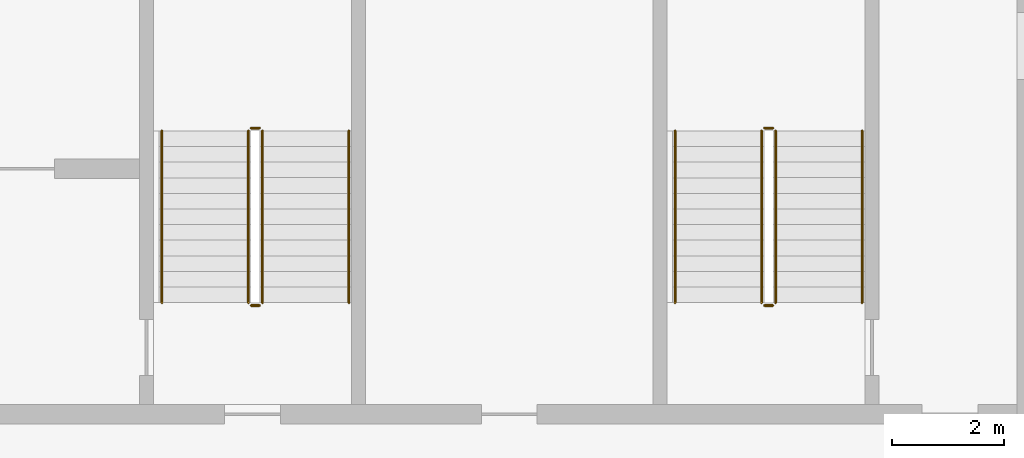
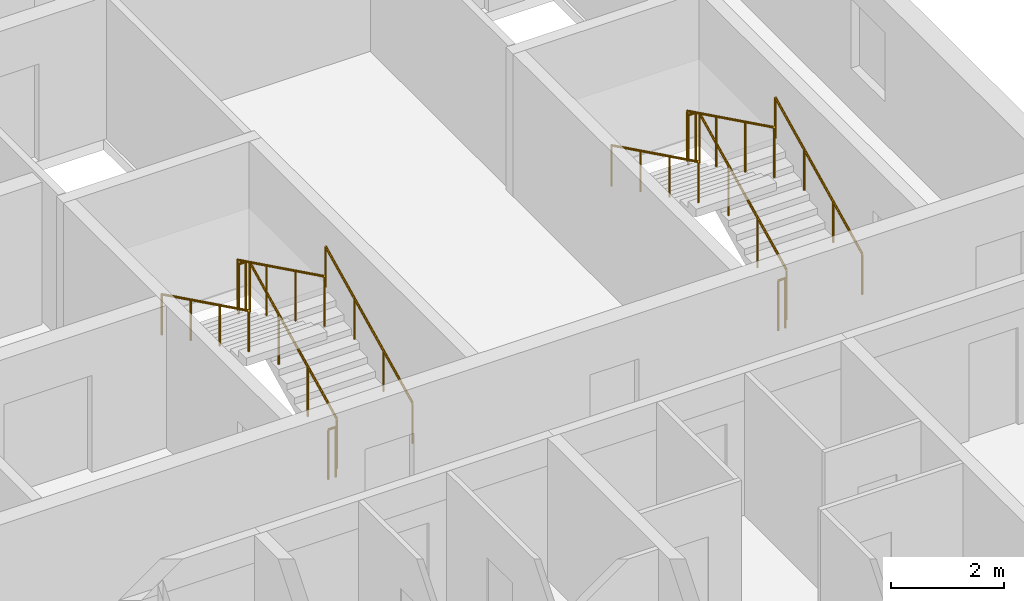
# One storey, part 14 of 26: 12 railings.
"""IFC4 building model written with IfcOpenShell, lengths in metres."""

from ifc_helpers import new_model, si_unit, direction, frame, origin, origin_2d, place, context, subcontext, project, spatial, circle, extrude, material, type_object, element, save


model = new_model("IFC4")

# Units and contexts
model_context = context("Model", 3, precision=1e-05, world=origin(), true_north=direction((0.0, 1.0)))
body_context = subcontext(model_context, "Body", "Model", "MODEL_VIEW")
ifc_project = project(units=[si_unit("LENGTHUNIT", "METRE"), si_unit("AREAUNIT", "SQUARE_METRE"), si_unit("VOLUMEUNIT", "CUBIC_METRE"), si_unit("PLANEANGLEUNIT", "RADIAN"), si_unit("MASSUNIT", "GRAM", prefix="KILO")], contexts=[model_context])

# Site, building, storey
site_placement = place(None, origin())
site = spatial("IfcSite", under=ifc_project, at=site_placement, CompositionType="ELEMENT")
building_placement = place(site_placement, origin())
building = spatial("IfcBuilding", under=site, at=building_placement, Name="Poui Terraces", CompositionType="ELEMENT")
storey_placement = place(building_placement, frame((0.0, 0.0, 228.0)))
storey = spatial("IfcBuildingStorey", under=building, at=storey_placement, Name="L63", CompositionType="ELEMENT", Elevation=228.0)

# Railings
ifc_material_1 = material(Name="Galvanised steel balustrade", Category="steel")
railing_type_1 = type_object("IfcRailingType", Name="STAIR GUARD 1100", PredefinedType="GUARDRAIL", material=ifc_material_1)
railing_1_placement = place(storey_placement, frame((70.27490234375, 16.60009765625, 0.137451171875)))
element("IfcRailing", 1, at=railing_1_placement, inside=storey, type_object=railing_type_1, Name="L63 ST-CE stair guard 1", PredefinedType="GUARDRAIL", context=body_context, shape_type="SweptSolid", body=[
    extrude(circle(Radius=0.02392578125, at=origin_2d()), frame((0.0, 0.0, 1.076171875), z_axis=(0.0, 0.897606190399, 0.440798283751), x_axis=(-1.0, 0.0, 0.0)), (0.0, 0.0, 1.0), 3.43115234375),
    extrude(circle(Radius=0.02099609375, at=origin_2d()), origin(), (0.0, 0.0, 1.0), 1.052001953125),
    extrude(circle(Radius=0.02099609375, at=origin_2d()), frame((0.0, 1.026611328125, 0.504150390625)), (0.0, 0.0, 1.0), 1.052001953125),
    extrude(circle(Radius=0.02099609375, at=origin_2d()), frame((0.0, 2.05322265625, 1.00830078125)), (0.0, 0.0, 1.0), 1.052001953125),
    extrude(circle(Radius=0.02099609375, at=origin_2d()), frame((0.0, 3.079833984375, 1.512451171875)), (0.0, 0.0, 1.0), 1.052001953125),
])
railing_2_placement = place(storey_placement, frame((70.22509765625, 19.72998046875, 1.64990234375)))
element("IfcRailing", 2, at=railing_2_placement, inside=storey, type_object=railing_type_1, Name="L63 ST-CE stair guard 2", PredefinedType="GUARDRAIL", context=body_context, shape_type="SweptSolid", body=[
    extrude(circle(Radius=0.02392578125, at=origin_2d()), frame((0.0, 0.0, 1.076171875), z_axis=(-1.0, 0.0, 0.0), x_axis=(0.0, -1.0, 0.0)), (0.0, 0.0, 1.0), 0.150146484375),
    extrude(circle(Radius=0.02099609375, at=origin_2d()), origin(), (0.0, 0.0, 1.0), 1.052001953125),
    extrude(circle(Radius=0.02099609375, at=origin_2d()), frame((-0.150146484375, 0.0, 0.0)), (0.0, 0.0, 1.0), 1.052001953125),
])
railing_3_placement = place(storey_placement, frame((70.02490234375, 19.679931640625, 1.78759765625)))
element("IfcRailing", 3, at=railing_3_placement, inside=storey, type_object=railing_type_1, Name="L63 ST-CE stair guard 3", PredefinedType="GUARDRAIL", context=body_context, shape_type="SweptSolid", body=[
    extrude(circle(Radius=0.02392578125, at=origin_2d()), frame((0.0, 0.0, 1.076171875), z_axis=(0.0, -0.897606190399, 0.440798283751), x_axis=(1.0, 0.0, 0.0)), (0.0, 0.0, 1.0), 3.43115234375),
    extrude(circle(Radius=0.02099609375, at=origin_2d()), origin(), (0.0, 0.0, 1.0), 1.052001953125),
    extrude(circle(Radius=0.02099609375, at=origin_2d()), frame((0.0, -1.026611328125, 0.504150390625)), (0.0, 0.0, 1.0), 1.052001953125),
    extrude(circle(Radius=0.02099609375, at=origin_2d()), frame((0.0, -2.05322265625, 1.00830078125)), (0.0, 0.0, 1.0), 1.052001953125),
    extrude(circle(Radius=0.02099609375, at=origin_2d()), frame((0.0, -3.079833984375, 1.512451171875)), (0.0, 0.0, 1.0), 1.052001953125),
])
railing_4_placement = place(storey_placement, frame((70.22509765625, 16.550048828125, 0.0)))
element("IfcRailing", 4, at=railing_4_placement, inside=storey, type_object=railing_type_1, Name="L63 ST-CE stair guard 4", PredefinedType="GUARDRAIL", context=body_context, shape_type="SweptSolid", body=[
    extrude(circle(Radius=0.02392578125, at=origin_2d()), frame((0.0, 0.0, 1.076171875), z_axis=(-1.0, 0.0, 0.0), x_axis=(0.0, -1.0, 0.0)), (0.0, 0.0, 1.0), 0.150146484375),
    extrude(circle(Radius=0.02099609375, at=origin_2d()), origin(), (0.0, 0.0, 1.0), 1.052001953125),
    extrude(circle(Radius=0.02099609375, at=origin_2d()), frame((-0.150146484375, 0.0, 0.0)), (0.0, 0.0, 1.0), 1.052001953125),
])
railing_5_placement = place(storey_placement, frame((79.47509765625, 16.60009765625, 0.137451171875)))
element("IfcRailing", 5, at=railing_5_placement, inside=storey, type_object=railing_type_1, Name="L63 ST-E stair guard 1", PredefinedType="GUARDRAIL", context=body_context, shape_type="SweptSolid", body=[
    extrude(circle(Radius=0.02392578125, at=origin_2d()), frame((0.0, 0.0, 1.076171875), z_axis=(0.0, 0.897606190399, 0.440798283751), x_axis=(-1.0, 0.0, 0.0)), (0.0, 0.0, 1.0), 3.43115234375),
    extrude(circle(Radius=0.02099609375, at=origin_2d()), origin(), (0.0, 0.0, 1.0), 1.052001953125),
    extrude(circle(Radius=0.02099609375, at=origin_2d()), frame((0.0, 1.026611328125, 0.504150390625)), (0.0, 0.0, 1.0), 1.052001953125),
    extrude(circle(Radius=0.02099609375, at=origin_2d()), frame((0.0, 2.05322265625, 1.00830078125)), (0.0, 0.0, 1.0), 1.052001953125),
    extrude(circle(Radius=0.02099609375, at=origin_2d()), frame((0.0, 3.079833984375, 1.512451171875)), (0.0, 0.0, 1.0), 1.052001953125),
])
railing_6_placement = place(storey_placement, frame((79.425048828125, 19.72998046875, 1.64990234375)))
element("IfcRailing", 6, at=railing_6_placement, inside=storey, type_object=railing_type_1, Name="L63 ST-E stair guard 2", PredefinedType="GUARDRAIL", context=body_context, shape_type="SweptSolid", body=[
    extrude(circle(Radius=0.02392578125, at=origin_2d()), frame((0.0, 0.0, 1.076171875), z_axis=(-1.0, 0.0, 0.0), x_axis=(0.0, -1.0, 0.0)), (0.0, 0.0, 1.0), 0.150146484375),
    extrude(circle(Radius=0.02099609375, at=origin_2d()), origin(), (0.0, 0.0, 1.0), 1.052001953125),
    extrude(circle(Radius=0.02099609375, at=origin_2d()), frame((-0.150146484375, 0.0, 0.0)), (0.0, 0.0, 1.0), 1.052001953125),
])
railing_7_placement = place(storey_placement, frame((79.22509765625, 19.679931640625, 1.78759765625)))
element("IfcRailing", 7, at=railing_7_placement, inside=storey, type_object=railing_type_1, Name="L63 ST-E stair guard 3", PredefinedType="GUARDRAIL", context=body_context, shape_type="SweptSolid", body=[
    extrude(circle(Radius=0.02392578125, at=origin_2d()), frame((0.0, 0.0, 1.076171875), z_axis=(0.0, -0.897606190399, 0.440798283751), x_axis=(1.0, 0.0, 0.0)), (0.0, 0.0, 1.0), 3.43115234375),
    extrude(circle(Radius=0.02099609375, at=origin_2d()), origin(), (0.0, 0.0, 1.0), 1.052001953125),
    extrude(circle(Radius=0.02099609375, at=origin_2d()), frame((0.0, -1.026611328125, 0.504150390625)), (0.0, 0.0, 1.0), 1.052001953125),
    extrude(circle(Radius=0.02099609375, at=origin_2d()), frame((0.0, -2.05322265625, 1.00830078125)), (0.0, 0.0, 1.0), 1.052001953125),
    extrude(circle(Radius=0.02099609375, at=origin_2d()), frame((0.0, -3.079833984375, 1.512451171875)), (0.0, 0.0, 1.0), 1.052001953125),
])
railing_8_placement = place(storey_placement, frame((79.425048828125, 16.550048828125, 0.0)))
element("IfcRailing", 8, at=railing_8_placement, inside=storey, type_object=railing_type_1, Name="L63 ST-E stair guard 4", PredefinedType="GUARDRAIL", context=body_context, shape_type="SweptSolid", body=[
    extrude(circle(Radius=0.02392578125, at=origin_2d()), frame((0.0, 0.0, 1.076171875), z_axis=(-1.0, 0.0, 0.0), x_axis=(0.0, -1.0, 0.0)), (0.0, 0.0, 1.0), 0.150146484375),
    extrude(circle(Radius=0.02099609375, at=origin_2d()), origin(), (0.0, 0.0, 1.0), 1.052001953125),
    extrude(circle(Radius=0.02099609375, at=origin_2d()), frame((-0.150146484375, 0.0, 0.0)), (0.0, 0.0, 1.0), 1.052001953125),
])
ifc_material_2 = material(Name="Stainless steel handrail", Category="steel")
railing_type_2 = type_object("IfcRailingType", Name="STAIR HANDRAIL 900", PredefinedType="HANDRAIL", material=ifc_material_2)
railing_9_placement = place(storey_placement, frame((71.824951171875, 16.60009765625, 0.137451171875)))
element("IfcRailing", 9, at=railing_9_placement, inside=storey, type_object=railing_type_2, Name="L63 ST-CE stair handrail 1", PredefinedType="HANDRAIL", context=body_context, shape_type="SweptSolid", body=[
    extrude(circle(Radius=0.02392578125, at=origin_2d()), frame((0.0, 0.0, 0.8759765625), z_axis=(0.0, 0.897606190399, 0.440798283751), x_axis=(-1.0, 0.0, 0.0)), (0.0, 0.0, 1.0), 3.43115234375),
    extrude(circle(Radius=0.02099609375, at=origin_2d()), origin(), (0.0, 0.0, 1.0), 0.851806640625),
    extrude(circle(Radius=0.02099609375, at=origin_2d()), frame((0.0, 1.026611328125, 0.504150390625)), (0.0, 0.0, 1.0), 0.851806640625),
    extrude(circle(Radius=0.02099609375, at=origin_2d()), frame((0.0, 2.05322265625, 1.00830078125)), (0.0, 0.0, 1.0), 0.851806640625),
    extrude(circle(Radius=0.02099609375, at=origin_2d()), frame((0.0, 3.079833984375, 1.512451171875)), (0.0, 0.0, 1.0), 0.851806640625),
])
railing_10_placement = place(storey_placement, frame((68.47509765625, 19.679931640625, 1.78759765625)))
element("IfcRailing", 10, at=railing_10_placement, inside=storey, type_object=railing_type_2, Name="L63 ST-CE stair handrail 2", PredefinedType="HANDRAIL", context=body_context, shape_type="SweptSolid", body=[
    extrude(circle(Radius=0.02392578125, at=origin_2d()), frame((0.0, 0.0, 0.8759765625), z_axis=(0.0, -0.897606190399, 0.440798283751), x_axis=(1.0, 0.0, 0.0)), (0.0, 0.0, 1.0), 3.43115234375),
    extrude(circle(Radius=0.02099609375, at=origin_2d()), origin(), (0.0, 0.0, 1.0), 0.851806640625),
    extrude(circle(Radius=0.02099609375, at=origin_2d()), frame((0.0, -1.026611328125, 0.504150390625)), (0.0, 0.0, 1.0), 0.851806640625),
    extrude(circle(Radius=0.02099609375, at=origin_2d()), frame((0.0, -2.05322265625, 1.00830078125)), (0.0, 0.0, 1.0), 0.851806640625),
    extrude(circle(Radius=0.02099609375, at=origin_2d()), frame((0.0, -3.079833984375, 1.512451171875)), (0.0, 0.0, 1.0), 0.851806640625),
])
railing_11_placement = place(storey_placement, frame((81.02490234375, 16.60009765625, 0.137451171875)))
element("IfcRailing", 11, at=railing_11_placement, inside=storey, type_object=railing_type_2, Name="L63 ST-E stair handrail 1", PredefinedType="HANDRAIL", context=body_context, shape_type="SweptSolid", body=[
    extrude(circle(Radius=0.02392578125, at=origin_2d()), frame((0.0, 0.0, 0.8759765625), z_axis=(0.0, 0.897606190399, 0.440798283751), x_axis=(-1.0, 0.0, 0.0)), (0.0, 0.0, 1.0), 3.43115234375),
    extrude(circle(Radius=0.02099609375, at=origin_2d()), origin(), (0.0, 0.0, 1.0), 0.851806640625),
    extrude(circle(Radius=0.02099609375, at=origin_2d()), frame((0.0, 1.026611328125, 0.504150390625)), (0.0, 0.0, 1.0), 0.851806640625),
    extrude(circle(Radius=0.02099609375, at=origin_2d()), frame((0.0, 2.05322265625, 1.00830078125)), (0.0, 0.0, 1.0), 0.851806640625),
    extrude(circle(Radius=0.02099609375, at=origin_2d()), frame((0.0, 3.079833984375, 1.512451171875)), (0.0, 0.0, 1.0), 0.851806640625),
])
railing_12_placement = place(storey_placement, frame((77.675048828125, 19.679931640625, 1.78759765625)))
element("IfcRailing", 12, at=railing_12_placement, inside=storey, type_object=railing_type_2, Name="L63 ST-E stair handrail 2", PredefinedType="HANDRAIL", context=body_context, shape_type="SweptSolid", body=[
    extrude(circle(Radius=0.02392578125, at=origin_2d()), frame((0.0, 0.0, 0.8759765625), z_axis=(0.0, -0.897606190399, 0.440798283751), x_axis=(1.0, 0.0, 0.0)), (0.0, 0.0, 1.0), 3.43115234375),
    extrude(circle(Radius=0.02099609375, at=origin_2d()), origin(), (0.0, 0.0, 1.0), 0.851806640625),
    extrude(circle(Radius=0.02099609375, at=origin_2d()), frame((0.0, -1.026611328125, 0.504150390625)), (0.0, 0.0, 1.0), 0.851806640625),
    extrude(circle(Radius=0.02099609375, at=origin_2d()), frame((0.0, -2.05322265625, 1.00830078125)), (0.0, 0.0, 1.0), 0.851806640625),
    extrude(circle(Radius=0.02099609375, at=origin_2d()), frame((0.0, -3.079833984375, 1.512451171875)), (0.0, 0.0, 1.0), 0.851806640625),
])

save(model, "model.ifc")
